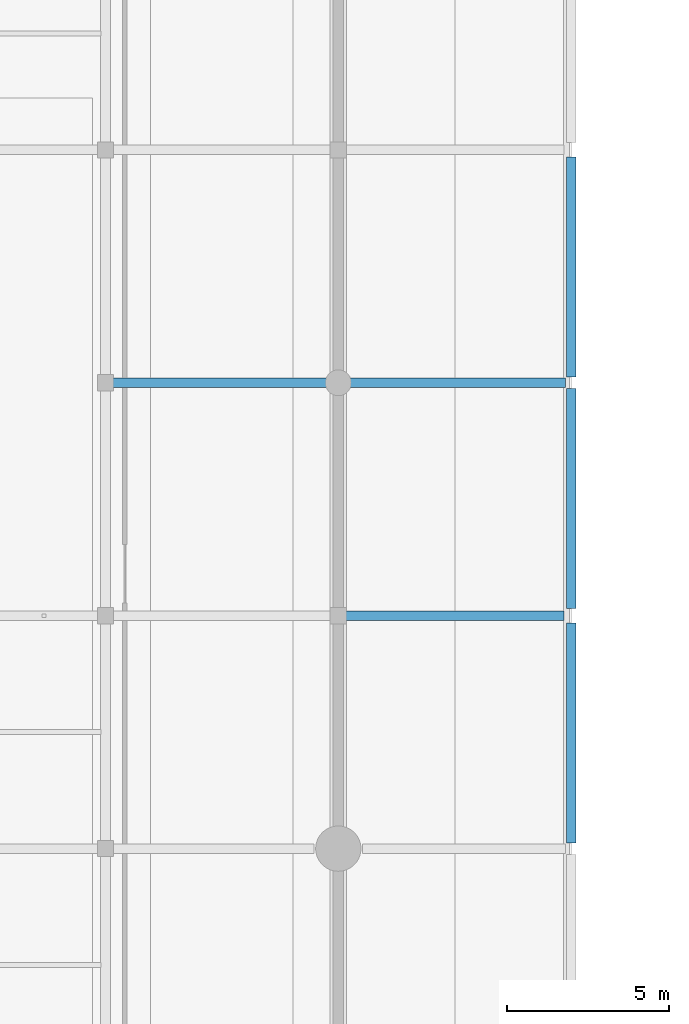
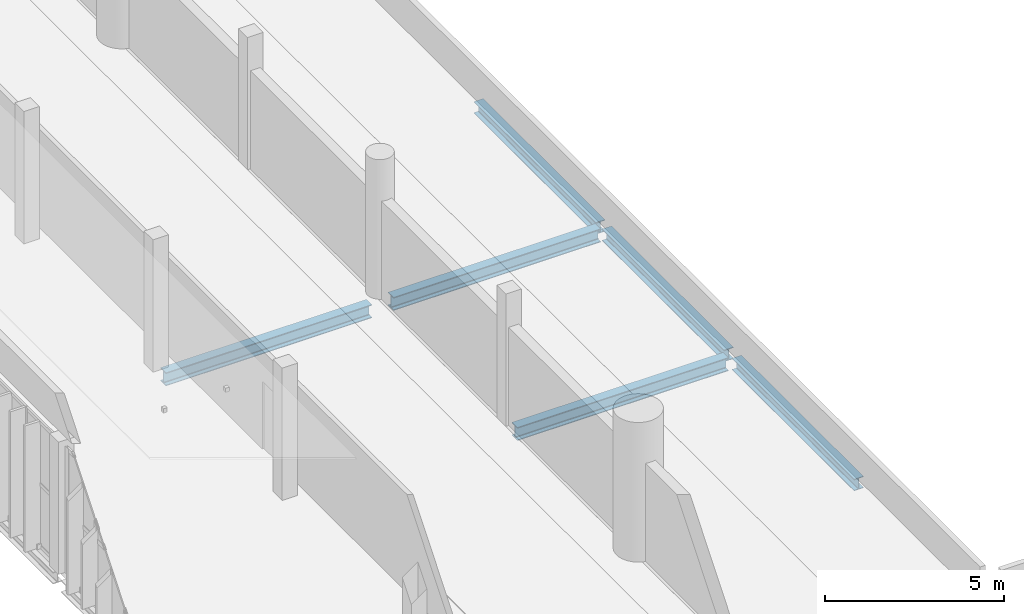
# One storey, part 12 of 64: 6 beams.
"""IFC4 building model written with IfcOpenShell, lengths in metres."""

from ifc_helpers import new_model, si_unit, direction, frame, origin, origin_2d, place, context, subcontext, project, spatial, i_section, extrude, material, material_profile, profile_set, type_object, element, save


model = new_model("IFC4")

# Units and contexts
model_context = context("Model", 3, precision=1e-05, world=origin(), true_north=direction((0.0, 1.0)))
body_context = subcontext(model_context, "Body", "Model", "MODEL_VIEW")
ifc_project = project(units=[si_unit("LENGTHUNIT", "METRE"), si_unit("AREAUNIT", "SQUARE_METRE"), si_unit("VOLUMEUNIT", "CUBIC_METRE"), si_unit("PLANEANGLEUNIT", "RADIAN"), si_unit("MASSUNIT", "GRAM", prefix="KILO")], contexts=[model_context])

# Site, building, storey
site_placement = place(None, origin())
site = spatial("IfcSite", under=ifc_project, at=site_placement, CompositionType="ELEMENT")
building_placement = place(site_placement, origin())
building = spatial("IfcBuilding", under=site, at=building_placement, Name="Qandorah Velis Arena", CompositionType="ELEMENT")
storey_placement = place(building_placement, frame((0.0, 0.0, 23.0)))
storey = spatial("IfcBuildingStorey", under=building, at=storey_placement, Name="L05", CompositionType="ELEMENT", Elevation=23.0)

# Beams
ifc_material = material(Name="Steel S355", Category="steel")
ifc_material_profile_1 = material_profile(ifc_material, i_section(OverallWidth=0.300048828125, OverallDepth=0.39990234375, WebThickness=0.013427734375, FlangeThickness=0.02392578125, FilletRadius=0.027099609375, at=origin_2d()), Name="HEB 400")
ifc_profile_set_1 = profile_set([ifc_material_profile_1], Name="Steel S355")
beam_type_1 = type_object("IfcBeamType", Name="STR-BM-HEB400", PredefinedType="BEAM", material=ifc_profile_set_1)
for number, where, z_axis, x_axis, name in (
    (1, (21.60009765625, 28.978515625, -0.449951171875), (0.0, 1.0, 0.0), (-1.0, 0.0, 0.0), "Primary floor girder L05 Y-140"),
    (2, (21.60009765625, 36.22509765625, -0.449951171875), (0.0, 1.0, 0.0), (-1.0, 0.0, 0.0), "Primary floor girder L05 Y-141"),
):
    element("IfcBeam", number, at=place(storey_placement, frame(where, z_axis=z_axis, x_axis=x_axis)), inside=storey, type_object=beam_type_1, Name=name, PredefinedType="BEAM", context=body_context, shape_type="SweptSolid", body=[
        extrude(i_section(OverallWidth=0.300048828125, OverallDepth=0.39990234375, WebThickness=0.013427734375, FlangeThickness=0.02392578125, FilletRadius=0.027099609375, at=origin_2d()), origin(), (0.0, 0.0, 1.0), 6.79638671875),
    ])
beam_1_placement = place(storey_placement, frame((21.60009765625, 43.37841796875, -0.449951171875), z_axis=(0.0, 1.0, 0.0), x_axis=(-1.0, 0.0, 0.0)))
element("IfcBeam", 3, at=beam_1_placement, inside=storey, type_object=beam_type_1, Name="Primary floor girder L05 Y-142", PredefinedType="BEAM", context=body_context, shape_type="SweptSolid", body=[
    extrude(i_section(OverallWidth=0.300048828125, OverallDepth=0.39990234375, WebThickness=0.013427734375, FlangeThickness=0.02392578125, FilletRadius=0.027099609375, at=origin_2d()), origin(), (0.0, 0.0, 1.0), 6.796630859375),
])
ifc_material_profile_2 = material_profile(ifc_material, i_section(OverallWidth=0.300048828125, OverallDepth=0.449951171875, WebThickness=0.013916015625, FlangeThickness=0.02587890625, FilletRadius=0.027099609375, at=origin_2d()), Name="HEB 450")
ifc_profile_set_2 = profile_set([ifc_material_profile_2], Name="Steel S355")
beam_type_2 = type_object("IfcBeamType", Name="STR-BM-HEB450", PredefinedType="BEAM", material=ifc_profile_set_2)
beam_2_placement = place(storey_placement, frame((14.57861328125, 36.0, -0.47509765625), z_axis=(1.0, 0.0, 0.0), x_axis=(0.0, 1.0, 0.0)))
element("IfcBeam", 4, at=beam_2_placement, inside=storey, type_object=beam_type_2, Name="Primary floor girder L05 X-047", PredefinedType="BEAM", context=body_context, shape_type="SweptSolid", body=[
    extrude(i_section(OverallWidth=0.300048828125, OverallDepth=0.449951171875, WebThickness=0.013916015625, FlangeThickness=0.02587890625, FilletRadius=0.027099609375, at=origin_2d()), origin(), (0.0, 0.0, 1.0), 6.79638671875),
])
beam_3_placement = place(storey_placement, frame((7.425048828125, 43.199951171875, -0.47509765625), z_axis=(1.0, 0.0, 0.0), x_axis=(0.0, 1.0, 0.0)))
element("IfcBeam", 5, at=beam_3_placement, inside=storey, type_object=beam_type_2, Name="Primary floor girder L05 X-048", PredefinedType="BEAM", context=body_context, shape_type="SweptSolid", body=[
    extrude(i_section(OverallWidth=0.300048828125, OverallDepth=0.449951171875, WebThickness=0.013916015625, FlangeThickness=0.02587890625, FilletRadius=0.027099609375, at=origin_2d()), origin(), (0.0, 0.0, 1.0), 6.625),
])
beam_4_placement = place(storey_placement, frame((14.75, 43.199951171875, -0.47509765625), z_axis=(1.0, 0.0, 0.0), x_axis=(0.0, 1.0, 0.0)))
element("IfcBeam", 6, at=beam_4_placement, inside=storey, type_object=beam_type_2, Name="Primary floor girder L05 X-049", PredefinedType="BEAM", context=body_context, shape_type="SweptSolid", body=[
    extrude(i_section(OverallWidth=0.300048828125, OverallDepth=0.449951171875, WebThickness=0.013916015625, FlangeThickness=0.02587890625, FilletRadius=0.027099609375, at=origin_2d()), origin(), (0.0, 0.0, 1.0), 6.67138671875),
])

save(model, "model.ifc")
